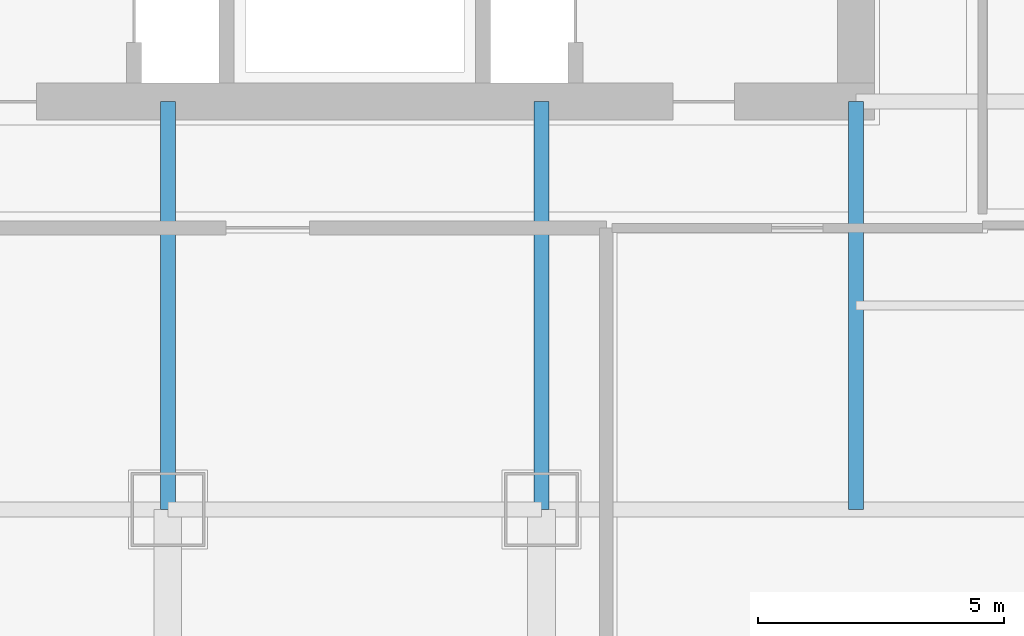
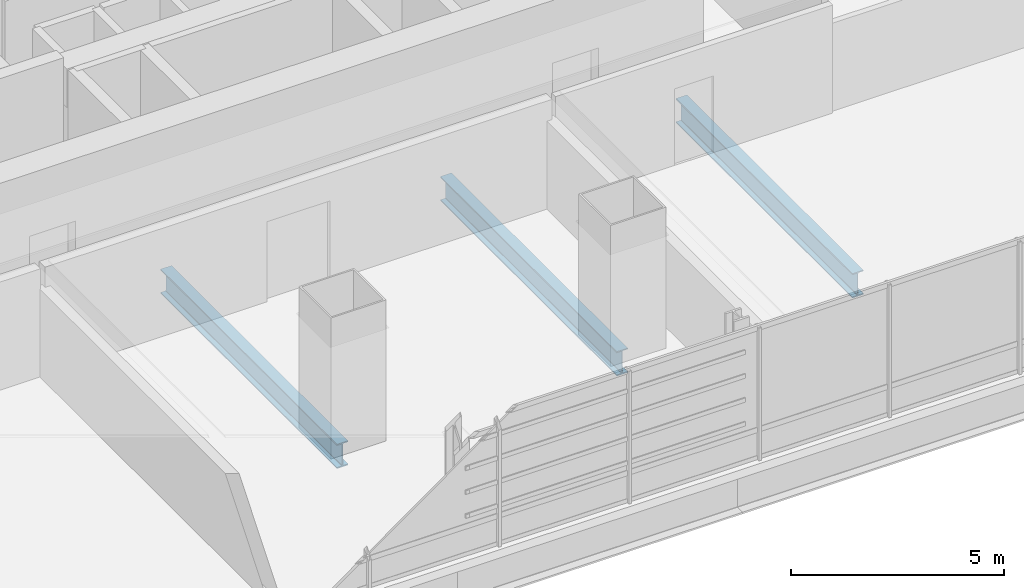
# One storey, part 7 of 34: 3 beams.
"""IFC4 building model written with IfcOpenShell, lengths in metres."""

from ifc_helpers import new_model, si_unit, direction, frame, origin, origin_2d, place, context, subcontext, project, spatial, i_section, extrude, material, material_profile, profile_set, type_object, element, save


model = new_model("IFC4")

# Units and contexts
model_context = context("Model", 3, precision=1e-05, world=origin(), true_north=direction((0.0, 1.0)))
body_context = subcontext(model_context, "Body", "Model", "MODEL_VIEW")
ifc_project = project(units=[si_unit("LENGTHUNIT", "METRE"), si_unit("AREAUNIT", "SQUARE_METRE"), si_unit("VOLUMEUNIT", "CUBIC_METRE"), si_unit("PLANEANGLEUNIT", "RADIAN"), si_unit("MASSUNIT", "GRAM", prefix="KILO")], contexts=[model_context])

# Site, building, storey
site_placement = place(None, origin())
site = spatial("IfcSite", under=ifc_project, at=site_placement, CompositionType="ELEMENT")
building_placement = place(site_placement, origin())
building = spatial("IfcBuilding", under=site, at=building_placement, Name="Punatoya Terracotta Tower", CompositionType="ELEMENT")
storey_placement = place(building_placement, frame((0.0, 0.0, 80.85009765625)))
storey = spatial("IfcBuildingStorey", under=building, at=storey_placement, Name="L18", CompositionType="ELEMENT", Elevation=80.85009765625)

# Beams
ifc_material = material(Name="Steel S355", Category="steel")
ifc_material_profile = material_profile(ifc_material, i_section(OverallWidth=0.300048828125, OverallDepth=0.699951171875, WebThickness=0.01708984375, FlangeThickness=0.031982421875, FilletRadius=0.01806640625, at=origin_2d()))
ifc_profile_set = profile_set([ifc_material_profile], Name="Steel S355")
beam_type = type_object("IfcBeamType", Name="BM-PRI-700", PredefinedType="BEAM", material=ifc_profile_set)
for number, where, z_axis, x_axis, name in (
    (1, (-3.800048828125, -17.5, -0.590087890625), (0.0, 1.0, 0.0), (-1.0, 0.0, 0.0), "BM-L18-PR-S2"),
    (2, (3.800048828125, -17.5, -0.590087890625), (0.0, 1.0, 0.0), (-1.0, 0.0, 0.0), "BM-L18-PR-S3"),
    (3, (10.199951171875, -17.5, -0.590087890625), (0.0, 1.0, 0.0), (-1.0, 0.0, 0.0), "BM-L18-PR-S4"),
):
    element("IfcBeam", number, at=place(storey_placement, frame(where, z_axis=z_axis, x_axis=x_axis)), inside=storey, type_object=beam_type, Name=name, PredefinedType="BEAM", context=body_context, shape_type="SweptSolid", body=[
        extrude(i_section(OverallWidth=0.300048828125, OverallDepth=0.699951171875, WebThickness=0.01708984375, FlangeThickness=0.031982421875, FilletRadius=0.01806640625, at=origin_2d()), origin(), (0.0, 0.0, 1.0), 8.300048828125),
    ])

save(model, "model.ifc")
